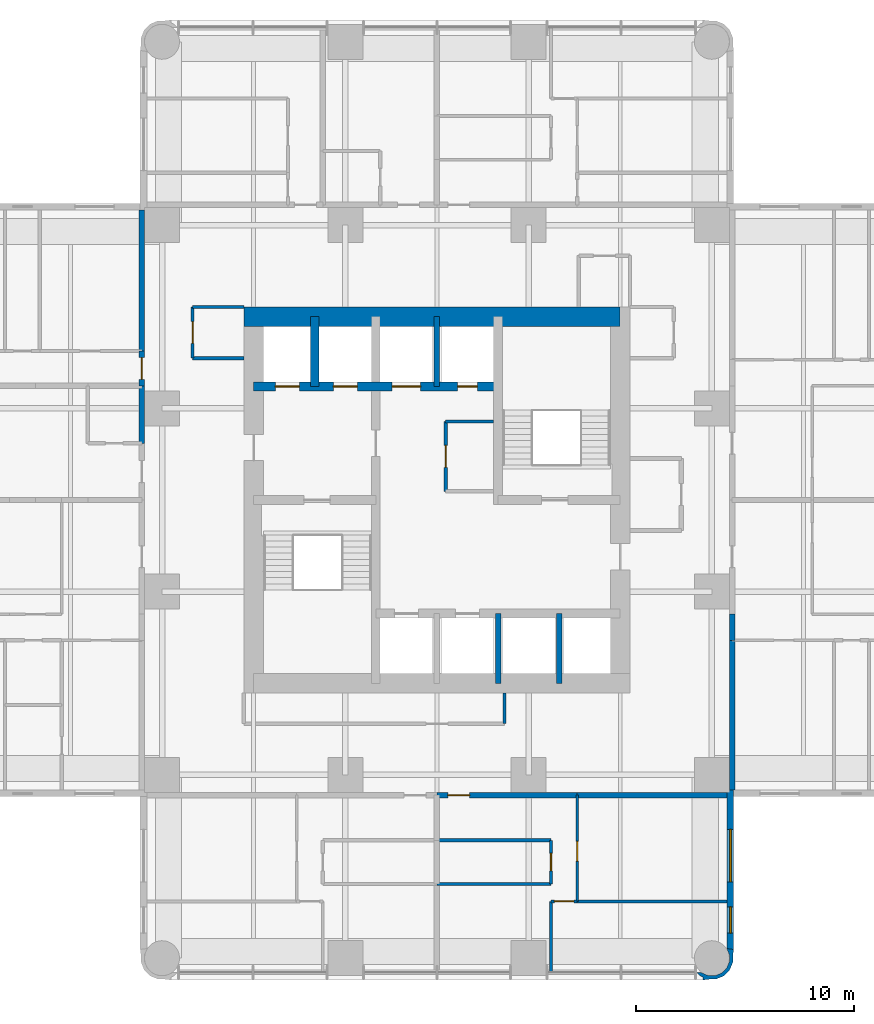
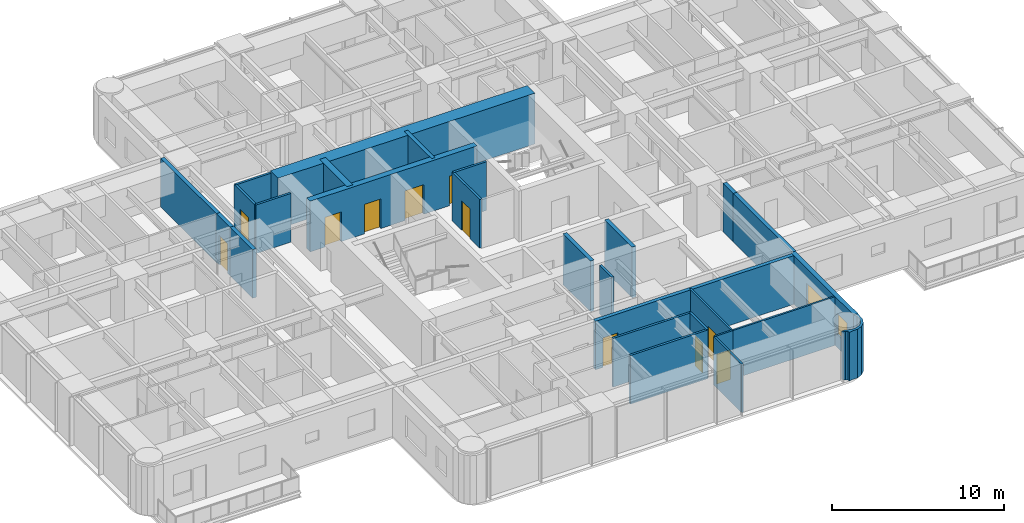
# One storey, part 8 of 14: 28 walls, 11 doors, 2 windows, 13 openings.
"""IFC4 building model written with IfcOpenShell, lengths in metres."""

from ifc_helpers import new_model, si_unit, direction, frame, frame_2d, origin, place, context, subcontext, project, spatial, polyline, rectangle, outline, extrude, material, layer, layer_set, type_object, element, fill, save


model = new_model("IFC4")

# Units and contexts
model_context = context("Model", 3, precision=1e-05, world=origin(), true_north=direction((0.0, 1.0)))
body_context = subcontext(model_context, "Body", "Model", "MODEL_VIEW")
ifc_project = project(units=[si_unit("LENGTHUNIT", "METRE"), si_unit("AREAUNIT", "SQUARE_METRE"), si_unit("VOLUMEUNIT", "CUBIC_METRE"), si_unit("PLANEANGLEUNIT", "RADIAN"), si_unit("MASSUNIT", "GRAM", prefix="KILO")], contexts=[model_context])

# Site, building, storey
site_placement = place(None, origin())
site = spatial("IfcSite", under=ifc_project, at=site_placement, CompositionType="ELEMENT")
building_placement = place(site_placement, origin())
building = spatial("IfcBuilding", under=site, at=building_placement, Name="Torre Alcanfor", CompositionType="ELEMENT")
storey_placement = place(building_placement, frame((0.0, 0.0, 130.5)))
storey = spatial("IfcBuildingStorey", under=building, at=storey_placement, Name="L33", CompositionType="ELEMENT", Elevation=130.5)

# Walls
ifc_material_1 = material(Name="Concrete block masonry, hollow blocks NMX-C-404 9 MPa", Category="masonry")
ifc_layer_1 = layer(ifc_material_1, 0.25)
ifc_layer_set_1 = layer_set([ifc_layer_1], Name="Apartment entrance wall 250 EI 60")
wall_type_1 = type_object("IfcWallType", Name="Apartment entrance wall 250 EI 60", PredefinedType="PARTITIONING", material=ifc_layer_set_1)
wall_1_placement = place(storey_placement, frame((42.925048828125, 24.1708984375, 0.0), z_axis=(0.0, 0.0, 1.0), x_axis=(0.0, -1.0, 0.0)))
element("IfcWall", 1, at=wall_1_placement, inside=storey, type_object=wall_type_1, Name="Partition L33-CORR / L33-E2-HALL", PredefinedType="PARTITIONING", context=body_context, shape_type="SweptSolid", body=[
    extrude(rectangle(XDim=1.199951171875, YDim=0.25, at=frame_2d((0.60009765625, 0.0))), origin(), (0.0, 0.0, 1.0), 3.449951171875),
])
wall_2_placement = place(storey_placement, frame((42.925048828125, 22.970947265625, 0.0), z_axis=(0.0, 0.0, 1.0), x_axis=(0.0, -1.0, 0.0)))
element("IfcWall", 2, at=wall_2_placement, inside=storey, type_object=wall_type_1, Name="Partition L33-CORR / L33-E2-BED3", PredefinedType="PARTITIONING", context=body_context, shape_type="SweptSolid", body=[
    extrude(rectangle(XDim=6.870849609375, YDim=0.25, at=frame_2d((3.435546875, 0.0))), origin(), (0.0, 0.0, 1.0), 3.449951171875),
])

# Wall, opening, door
wall_3_placement = place(storey_placement, frame((35.8291015625, 15.875, 0.0), z_axis=(0.0, 0.0, 1.0), x_axis=(-1.0, 0.0, 0.0)))
wall_3 = element("IfcWall", 3, at=wall_3_placement, inside=storey, type_object=wall_type_1, Name="Partition L33-CORR / L33-S1-LIVING", PredefinedType="PARTITIONING", context=body_context, shape_type="SweptSolid", body=[
    extrude(rectangle(XDim=6.42919921875, YDim=0.25, at=frame_2d((3.214599609375, 0.0))), origin(), (0.0, 0.0, 1.0), 3.449951171875),
])
opening_1_placement = place(wall_3_placement, frame((4.928955078125, 0.0, 0.0)))
opening_1 = element("IfcOpeningElement", 4, at=opening_1_placement, cuts=wall_3, Name="Opening D-A1", PredefinedType="OPENING", context=body_context, shape_type="SweptSolid", body=[
    extrude(rectangle(XDim=1.0, YDim=2.10009765625, at=frame_2d((0.5, 1.050048828125))), frame((0.0, 0.135009765625, 0.0), z_axis=(0.0, -1.0, 0.0), x_axis=(1.0, 0.0, 0.0)), (0.0, 0.0, 1.0), 0.27001953125),
])
ifc_material_2 = material(Name="Galvanised steel sheet ASTM A653", Category="steel")
door_type_1 = type_object("IfcDoorType", Name="Apartment entrance door FD60 1000x2100", OperationType="SINGLE_SWING_LEFT", PredefinedType="DOOR", material=ifc_material_2)
door_1_placement = place(opening_1_placement, origin())
door_1 = element("IfcDoor", 5, at=door_1_placement, inside=storey, type_object=door_type_1, Name="Apartment entrance L33-S1", OperationType="SINGLE_SWING_RIGHT", OverallHeight=2.10009765625, OverallWidth=1.0, PredefinedType="DOOR", context=body_context, shape_type="SweptSolid", body=[
    extrude(rectangle(XDim=1.0, YDim=2.10009765625, at=frame_2d((0.5, 1.050048828125))), frame((0.0, 0.02490234375, 0.0), z_axis=(0.0, -1.0, 0.0), x_axis=(1.0, 0.0, 0.0)), (0.0, 0.0, 1.0), 0.050048828125),
])
fill(opening_1, door_1)

# Walls
wall_4_placement = place(storey_placement, frame((42.699951171875, 15.875, 0.0), z_axis=(0.0, 0.0, 1.0), x_axis=(-1.0, 0.0, 0.0)))
element("IfcWall", 6, at=wall_4_placement, inside=storey, type_object=wall_type_1, Name="Partition L33-CORR / L33-S1-BED2", PredefinedType="PARTITIONING", context=body_context, shape_type="SweptSolid", body=[
    extrude(rectangle(XDim=6.870849609375, YDim=0.25, at=frame_2d((3.435546875, 0.0))), origin(), (0.0, 0.0, 1.0), 3.449951171875),
])
wall_5_placement = place(storey_placement, frame((15.875, 32.0, 0.0), z_axis=(0.0, 0.0, 1.0), x_axis=(0.0, 1.0, 0.0)))
element("IfcWall", 7, at=wall_5_placement, inside=storey, type_object=wall_type_1, Name="Partition L33-CORR / L33-W2A-BATH", PredefinedType="PARTITIONING", context=body_context, shape_type="SweptSolid", body=[
    extrude(rectangle(XDim=2.62890625, YDim=0.25, at=frame_2d((1.314453125, 0.0))), origin(), (0.0, 0.0, 1.0), 3.449951171875),
])

# Wall, opening, door
wall_6_placement = place(storey_placement, frame((15.875, 34.62890625, 0.0), z_axis=(0.0, 0.0, 1.0), x_axis=(0.0, 1.0, 0.0)))
wall_6 = element("IfcWall", 8, at=wall_6_placement, inside=storey, type_object=wall_type_1, Name="Partition L33-CORR / L33-W2B-HALL", PredefinedType="PARTITIONING", context=body_context, shape_type="SweptSolid", body=[
    extrude(rectangle(XDim=1.60009765625, YDim=0.25, at=frame_2d((0.800048828125, 0.0))), origin(), (0.0, 0.0, 1.0), 3.449951171875),
])
opening_2_placement = place(wall_6_placement, frame((0.300048828125, 0.0, 0.0)))
opening_2 = element("IfcOpeningElement", 9, at=opening_2_placement, cuts=wall_6, Name="Opening D-A1", PredefinedType="OPENING", context=body_context, shape_type="SweptSolid", body=[
    extrude(rectangle(XDim=1.0, YDim=2.10009765625, at=frame_2d((0.5, 1.050048828125))), frame((0.0, 0.135009765625, 0.0), z_axis=(0.0, -1.0, 0.0), x_axis=(1.0, 0.0, 0.0)), (0.0, 0.0, 1.0), 0.27001953125),
])
door_2_placement = place(opening_2_placement, origin())
door_2 = element("IfcDoor", 10, at=door_2_placement, inside=storey, type_object=door_type_1, Name="Apartment entrance L33-W2B", OperationType="SINGLE_SWING_LEFT", OverallHeight=2.10009765625, OverallWidth=1.0, PredefinedType="DOOR", context=body_context, shape_type="SweptSolid", body=[
    extrude(rectangle(XDim=1.0, YDim=2.10009765625, at=frame_2d((0.5, 1.050048828125))), frame((0.0, 0.02490234375, 0.0), z_axis=(0.0, -1.0, 0.0), x_axis=(1.0, 0.0, 0.0)), (0.0, 0.0, 1.0), 0.050048828125),
])
fill(opening_2, door_2)

# Wall
wall_7_placement = place(storey_placement, frame((15.875, 36.22900390625, 0.0), z_axis=(0.0, 0.0, 1.0), x_axis=(0.0, 1.0, 0.0)))
element("IfcWall", 11, at=wall_7_placement, inside=storey, type_object=wall_type_1, Name="Partition L33-CORR / L33-W2B-MASTER", PredefinedType="PARTITIONING", context=body_context, shape_type="SweptSolid", body=[
    extrude(rectangle(XDim=6.470947265625, YDim=0.25, at=frame_2d((3.2353515625, 0.0))), origin(), (0.0, 0.0, 1.0), 3.449951171875),
])

# Wall, opening, door
ifc_material_3 = material(Name="Gypsum board on steel studs", Category="steel")
ifc_layer_2 = layer(ifc_material_3, 0.1201171875)
ifc_layer_set_2 = layer_set([ifc_layer_2], Name="Apartment partition 120")
wall_type_2 = type_object("IfcWallType", Name="Apartment partition 120", PredefinedType="PARTITIONING", material=ifc_layer_set_2)
wall_8_placement = place(storey_placement, frame((35.8291015625, 15.875, 0.0), z_axis=(0.0, 0.0, 1.0), x_axis=(0.0, -1.0, 0.0)))
wall_8 = element("IfcWall", 12, at=wall_8_placement, inside=storey, type_object=wall_type_2, Name="Partition L33-S1-LIVING / L33-S1-BED2", PredefinedType="PARTITIONING", context=body_context, shape_type="SweptSolid", body=[
    extrude(rectangle(XDim=4.875, YDim=0.1201171875, at=frame_2d((2.4375, 0.0))), origin(), (0.0, 0.0, 1.0), 3.449951171875),
])
opening_3_placement = place(wall_8_placement, frame((2.125, 0.0, 0.0)))
opening_3 = element("IfcOpeningElement", 13, at=opening_3_placement, cuts=wall_8, Name="Opening D-R1", PredefinedType="OPENING", context=body_context, shape_type="SweptSolid", body=[
    extrude(rectangle(XDim=0.89990234375, YDim=2.10009765625, at=frame_2d((0.449951171875, 1.050048828125))), frame((0.0, 0.070068359375, 0.0), z_axis=(0.0, -1.0, 0.0), x_axis=(1.0, 0.0, 0.0)), (0.0, 0.0, 1.0), 0.14013671875),
])
ifc_material_4 = material(Name="Timber", Category="wood")
door_type_2 = type_object("IfcDoorType", Name="Internal door 900x2100", OperationType="SINGLE_SWING_LEFT", PredefinedType="DOOR", material=ifc_material_4)
door_3_placement = place(opening_3_placement, origin())
door_3 = element("IfcDoor", 14, at=door_3_placement, inside=storey, type_object=door_type_2, Name="Door L33-S1 bed2", OperationType="SINGLE_SWING_RIGHT", OverallHeight=2.10009765625, OverallWidth=0.89990234375, PredefinedType="DOOR", context=body_context, shape_type="SweptSolid", body=[
    extrude(rectangle(XDim=0.89990234375, YDim=2.10009765625, at=frame_2d((0.449951171875, 1.050048828125))), frame((0.0, 0.02490234375, 0.0), z_axis=(0.0, -1.0, 0.0), x_axis=(1.0, 0.0, 0.0)), (0.0, 0.0, 1.0), 0.050048828125),
])
fill(opening_3, door_3)

wall_9_placement = place(storey_placement, frame((35.8291015625, 11.0, 0.0), z_axis=(0.0, 0.0, 1.0), x_axis=(-1.0, 0.0, 0.0)))
wall_9 = element("IfcWall", 15, at=wall_9_placement, inside=storey, type_object=wall_type_2, Name="Partition L33-S1-LIVING / L33-S1-MASTER", PredefinedType="PARTITIONING", context=body_context, shape_type="SweptSolid", body=[
    extrude(rectangle(XDim=1.2001953125, YDim=0.1201171875, at=frame_2d((0.60009765625, 0.0))), origin(), (0.0, 0.0, 1.0), 3.449951171875),
])
opening_4_placement = place(wall_9_placement, frame((0.14892578125, 0.0, 0.0)))
opening_4 = element("IfcOpeningElement", 16, at=opening_4_placement, cuts=wall_9, Name="Opening D-R1", PredefinedType="OPENING", context=body_context, shape_type="SweptSolid", body=[
    extrude(rectangle(XDim=0.89990234375, YDim=2.10009765625, at=frame_2d((0.449951171875, 1.050048828125))), frame((0.0, 0.070068359375, 0.0), z_axis=(0.0, -1.0, 0.0), x_axis=(1.0, 0.0, 0.0)), (0.0, 0.0, 1.0), 0.14013671875),
])
door_4_placement = place(opening_4_placement, origin())
door_4 = element("IfcDoor", 17, at=door_4_placement, inside=storey, type_object=door_type_2, Name="Door L33-S1 master", OperationType="SINGLE_SWING_RIGHT", OverallHeight=2.10009765625, OverallWidth=0.89990234375, PredefinedType="DOOR", context=body_context, shape_type="SweptSolid", body=[
    extrude(rectangle(XDim=0.89990234375, YDim=2.10009765625, at=frame_2d((0.449951171875, 1.050048828125))), frame((0.0, 0.02490234375, 0.0), z_axis=(0.0, -1.0, 0.0), x_axis=(1.0, 0.0, 0.0)), (0.0, 0.0, 1.0), 0.050048828125),
])
fill(opening_4, door_4)

# Walls
wall_10_placement = place(storey_placement, frame((34.62890625, 11.0, 0.0), z_axis=(0.0, 0.0, 1.0), x_axis=(0.0, -1.0, 0.0)))
element("IfcWall", 18, at=wall_10_placement, inside=storey, type_object=wall_type_2, Name="Partition L33-S1-LIVING / L33-S1-MASTER", PredefinedType="PARTITIONING", context=body_context, shape_type="SweptSolid", body=[
    extrude(rectangle(XDim=3.25, YDim=0.1201171875, at=frame_2d((1.625, 0.0))), origin(), (0.0, 0.0, 1.0), 3.449951171875),
])
wall_11_placement = place(storey_placement, frame((35.8291015625, 11.0, 0.0), z_axis=(0.0, 0.0, 1.0), x_axis=(1.0, 0.0, 0.0)))
element("IfcWall", 19, at=wall_11_placement, inside=storey, type_object=wall_type_2, Name="Partition L33-S1-BED2 / L33-S1-MASTER", PredefinedType="PARTITIONING", context=body_context, shape_type="SweptSolid", body=[
    extrude(rectangle(XDim=6.870849609375, YDim=0.1201171875, at=frame_2d((3.435546875, 0.0))), origin(), (0.0, 0.0, 1.0), 3.449951171875),
])

# Wall, openings, doors
ifc_material_5 = material(Name="Concrete f'c 70 MPa", Category="concrete")
ifc_layer_3 = layer(ifc_material_5, 0.39990234375)
ifc_layer_set_3 = layer_set([ifc_layer_3], Name="Core inner wall 400 f'c70")
wall_type_3 = type_object("IfcWallType", Name="Core inner wall 400 f'c70", PredefinedType="SHEAR", material=ifc_layer_set_3)
wall_12_placement = place(storey_placement, frame((21.0, 34.60009765625, 0.0), z_axis=(0.0, 0.0, 1.0), x_axis=(1.0, 0.0, 0.0)))
wall_12 = element("IfcWall", 20, at=wall_12_placement, inside=storey, type_object=wall_type_3, Name="Core wall Y346 L33", PredefinedType="SHEAR", context=body_context, shape_type="SweptSolid", body=[
    extrude(rectangle(XDim=11.199951171875, YDim=0.39990234375, at=frame_2d((5.60009765625, 0.0))), origin(), (0.0, 0.0, 1.0), 3.60009765625),
])
opening_5_placement = place(wall_12_placement, frame((9.35009765625, 0.0, 0.0)))
opening_5 = element("IfcOpeningElement", 21, at=opening_5_placement, cuts=wall_12, Name="Opening D-Q1", PredefinedType="OPENING", context=body_context, shape_type="SweptSolid", body=[
    extrude(rectangle(XDim=0.89990234375, YDim=2.10009765625, at=frame_2d((0.449951171875, 1.050048828125))), frame((0.0, 0.2099609375, 0.0), z_axis=(0.0, -1.0, 0.0), x_axis=(1.0, 0.0, 0.0)), (0.0, 0.0, 1.0), 0.419921875),
])
opening_6_placement = place(wall_12_placement, frame((1.0, 0.0, 0.0)))
opening_6 = element("IfcOpeningElement", 22, at=opening_6_placement, cuts=wall_12, Name="Opening LD2", PredefinedType="OPENING", context=body_context, shape_type="SweptSolid", body=[
    extrude(rectangle(XDim=1.10009765625, YDim=2.10009765625, at=frame_2d((0.550048828125, 1.050048828125))), frame((0.0, 0.2099609375, 0.0), z_axis=(0.0, -1.0, 0.0), x_axis=(1.0, 0.0, 0.0)), (0.0, 0.0, 1.0), 0.419921875),
])
opening_7_placement = place(wall_12_placement, frame((3.64990234375, 0.0, 0.0)))
opening_7 = element("IfcOpeningElement", 23, at=opening_7_placement, cuts=wall_12, Name="Opening LD2", PredefinedType="OPENING", context=body_context, shape_type="SweptSolid", body=[
    extrude(rectangle(XDim=1.10009765625, YDim=2.10009765625, at=frame_2d((0.550048828125, 1.050048828125))), frame((0.0, 0.2099609375, 0.0), z_axis=(0.0, -1.0, 0.0), x_axis=(1.0, 0.0, 0.0)), (0.0, 0.0, 1.0), 0.419921875),
])
opening_8_placement = place(wall_12_placement, frame((6.35009765625, 0.0, 0.0)))
opening_8 = element("IfcOpeningElement", 24, at=opening_8_placement, cuts=wall_12, Name="Opening LD3", PredefinedType="OPENING", context=body_context, shape_type="SweptSolid", body=[
    extrude(rectangle(XDim=1.300048828125, YDim=2.10009765625, at=frame_2d((0.64990234375, 1.050048828125))), frame((0.0, 0.2099609375, 0.0), z_axis=(0.0, -1.0, 0.0), x_axis=(1.0, 0.0, 0.0)), (0.0, 0.0, 1.0), 0.419921875),
])
ifc_material_6 = material(Name="Galvanised steel sheet ASTM A653", Category="steel")
door_type_3 = type_object("IfcDoorType", Name="Firefighting lift landing door 1100x2100", OperationType="DOUBLE_DOOR_SLIDING", PredefinedType="DOOR", material=ifc_material_6)
door_5_placement = place(opening_6_placement, origin())
door_5 = element("IfcDoor", 25, at=door_5_placement, inside=storey, type_object=door_type_3, Name="Lift landing door FL1 L33", OperationType="DOUBLE_DOOR_SLIDING", OverallHeight=2.10009765625, OverallWidth=1.10009765625, PredefinedType="DOOR", context=body_context, shape_type="SweptSolid", body=[
    extrude(rectangle(XDim=1.10009765625, YDim=2.10009765625, at=frame_2d((0.550048828125, 1.050048828125))), frame((0.0, 0.02490234375, 0.0), z_axis=(0.0, -1.0, 0.0), x_axis=(1.0, 0.0, 0.0)), (0.0, 0.0, 1.0), 0.050048828125),
])
fill(opening_6, door_5)
door_6_placement = place(opening_7_placement, origin())
door_6 = element("IfcDoor", 26, at=door_6_placement, inside=storey, type_object=door_type_3, Name="Lift landing door FL2 L33", OperationType="DOUBLE_DOOR_SLIDING", OverallHeight=2.10009765625, OverallWidth=1.10009765625, PredefinedType="DOOR", context=body_context, shape_type="SweptSolid", body=[
    extrude(rectangle(XDim=1.10009765625, YDim=2.10009765625, at=frame_2d((0.550048828125, 1.050048828125))), frame((0.0, 0.02490234375, 0.0), z_axis=(0.0, -1.0, 0.0), x_axis=(1.0, 0.0, 0.0)), (0.0, 0.0, 1.0), 0.050048828125),
])
fill(opening_7, door_6)
ifc_material_7 = material(Name="Galvanised steel sheet ASTM A653", Category="steel")
door_type_4 = type_object("IfcDoorType", Name="Riser access door FD120 900x2100", OperationType="SINGLE_SWING_LEFT", PredefinedType="DOOR", material=ifc_material_7)
door_7_placement = place(opening_5_placement, origin())
door_7 = element("IfcDoor", 27, at=door_7_placement, inside=storey, type_object=door_type_4, Name="Riser door L33", OperationType="SINGLE_SWING_LEFT", OverallHeight=2.10009765625, OverallWidth=0.89990234375, PredefinedType="DOOR", context=body_context, shape_type="SweptSolid", body=[
    extrude(rectangle(XDim=0.89990234375, YDim=2.10009765625, at=frame_2d((0.449951171875, 1.050048828125))), frame((0.0, 0.02490234375, 0.0), z_axis=(0.0, -1.0, 0.0), x_axis=(1.0, 0.0, 0.0)), (0.0, 0.0, 1.0), 0.050048828125),
])
fill(opening_5, door_7)
ifc_material_8 = material(Name="Galvanised steel sheet ASTM A653", Category="steel")
door_type_5 = type_object("IfcDoorType", Name="Service lift landing door 1300x2100", OperationType="DOUBLE_DOOR_SLIDING", PredefinedType="DOOR", material=ifc_material_8)
door_8_placement = place(opening_8_placement, origin())
door_8 = element("IfcDoor", 28, at=door_8_placement, inside=storey, type_object=door_type_5, Name="Lift landing door SL1 L33", OperationType="DOUBLE_DOOR_SLIDING", OverallHeight=2.10009765625, OverallWidth=1.300048828125, PredefinedType="DOOR", context=body_context, shape_type="SweptSolid", body=[
    extrude(rectangle(XDim=1.300048828125, YDim=2.10009765625, at=frame_2d((0.64990234375, 1.050048828125))), frame((0.0, 0.02490234375, 0.0), z_axis=(0.0, -1.0, 0.0), x_axis=(1.0, 0.0, 0.0)), (0.0, 0.0, 1.0), 0.050048828125),
])
fill(opening_8, door_8)

# Walls
wall_13_placement = place(storey_placement, frame((23.800048828125, 34.60009765625, 0.0), z_axis=(0.0, 0.0, 1.0), x_axis=(0.0, 1.0, 0.0)))
element("IfcWall", 29, at=wall_13_placement, inside=storey, type_object=wall_type_3, Name="Core wall X238 L33", PredefinedType="SHEAR", context=body_context, shape_type="SweptSolid", body=[
    extrude(rectangle(XDim=3.199951171875, YDim=0.39990234375, at=frame_2d((1.60009765625, 0.0))), origin(), (0.0, 0.0, 1.0), 3.60009765625),
])
ifc_material_9 = material(Name="Concrete f'c 70 MPa", Category="concrete")
ifc_layer_4 = layer(ifc_material_9, 0.25)
ifc_layer_set_4 = layer_set([ifc_layer_4], Name="Core shaft wall 250 f'c70")
wall_type_4 = type_object("IfcWallType", Name="Core shaft wall 250 f'c70", PredefinedType="SHEAR", material=ifc_layer_set_4)
for number, where, z_axis, x_axis, name in (
    (30, (32.199951171875, 21.0, 0.0), (0.0, 0.0, 1.0), (0.0, 1.0, 0.0), "Core wall X322S L33"),
    (31, (35.0, 21.0, 0.0), (0.0, 0.0, 1.0), (0.0, 1.0, 0.0), "Core wall X350S L33"),
    (32, (29.39990234375, 34.60009765625, 0.0), (0.0, 0.0, 1.0), (0.0, 1.0, 0.0), "Core wall X294N L33"),
):
    element("IfcWall", number, at=place(storey_placement, frame(where, z_axis=z_axis, x_axis=x_axis)), inside=storey, type_object=wall_type_4, Name=name, PredefinedType="SHEAR", context=body_context, shape_type="SweptSolid", body=[
        extrude(rectangle(XDim=3.199951171875, YDim=0.25, at=frame_2d((1.60009765625, 0.0))), origin(), (0.0, 0.0, 1.0), 3.60009765625),
    ])
ifc_material_10 = material(Name="Concrete f'c 70 MPa", Category="concrete")
ifc_layer_5 = layer(ifc_material_10, 0.89990234375)
ifc_layer_set_5 = layer_set([ifc_layer_5], Name="Core wall 900 f'c70")
wall_type_5 = type_object("IfcWallType", Name="Core wall 900 f'c70", PredefinedType="SHEAR", material=ifc_layer_set_5)
wall_14_placement = place(storey_placement, frame((37.800048828125, 37.800048828125, 0.0), z_axis=(0.0, 0.0, 1.0), x_axis=(-1.0, 0.0, 0.0)))
element("IfcWall", 33, at=wall_14_placement, inside=storey, type_object=wall_type_5, Name="Core wall OUT-N L33", PredefinedType="SHEAR", context=body_context, shape_type="SweptSolid", body=[
    extrude(rectangle(XDim=17.25, YDim=0.89990234375, at=frame_2d((8.625, 0.0))), origin(), (0.0, 0.0, 1.0), 3.60009765625),
])

# Wall, openings, windows
ifc_material_11 = material(Name="Limestone cladding", Category="masonry")
ifc_layer_6 = layer(ifc_material_11, 0.0400390625, Name="Facing")
ifc_material_12 = material(Name="Ventilated air cavity")
ifc_layer_7 = layer(ifc_material_12, 0.02001953125, ventilated=True, Name="Ventilated joint")
ifc_material_13 = material(Name="Mineral wool insulation", Category="insulation")
ifc_layer_8 = layer(ifc_material_13, 0.10009765625, Name="Insulation")
ifc_material_14 = material(Name="Concrete f'c 35 MPa", Category="concrete")
ifc_layer_9 = layer(ifc_material_14, 0.139892578125, Name="Backing")
ifc_layer_set_6 = layer_set([ifc_layer_6, ifc_layer_7, ifc_layer_8, ifc_layer_9], Name="External wall stone-clad 300")
wall_type_6 = type_object("IfcWallType", Name="External wall stone-clad 300", PredefinedType="SOLIDWALL", material=ifc_layer_set_6)
wall_15_placement = place(storey_placement, frame((42.85009765625, 8.800048828125, 0.0), z_axis=(0.0, 0.0, 1.0), x_axis=(0.0, 1.0, 0.0)))
wall_15 = element("IfcWall", 34, at=wall_15_placement, inside=storey, type_object=wall_type_6, Name="External wall L33 6", PredefinedType="SOLIDWALL", context=body_context, shape_type="SweptSolid", body=[
    extrude(rectangle(XDim=7.300048828125, YDim=0.300048828125, at=frame_2d((3.64990234375, 0.0))), origin(), (0.0, 0.0, 1.0), 3.449951171875),
])
opening_9_placement = place(wall_15_placement, frame((3.10009765625, 0.0, 0.89990234375)))
opening_9 = element("IfcOpeningElement", 35, at=opening_9_placement, cuts=wall_15, Name="Opening W1", PredefinedType="OPENING", context=body_context, shape_type="SweptSolid", body=[
    extrude(rectangle(XDim=2.39990234375, YDim=1.5, at=frame_2d((1.199951171875, 0.75))), frame((0.0, 0.159912109375, 0.0), z_axis=(0.0, -1.0, 0.0), x_axis=(1.0, 0.0, 0.0)), (0.0, 0.0, 1.0), 0.320068359375),
])
opening_10_placement = place(wall_15_placement, frame((0.75, 0.0, 0.89990234375)))
opening_10 = element("IfcOpeningElement", 36, at=opening_10_placement, cuts=wall_15, Name="Opening W4", PredefinedType="OPENING", context=body_context, shape_type="SweptSolid", body=[
    extrude(rectangle(XDim=1.199951171875, YDim=1.5, at=frame_2d((0.60009765625, 0.75))), frame((0.0, 0.159912109375, 0.0), z_axis=(0.0, -1.0, 0.0), x_axis=(1.0, 0.0, 0.0)), (0.0, 0.0, 1.0), 0.320068359375),
])
ifc_material_15 = material(Name="Aluminium frame with clear double glazing", Category="aluminium")
window_type_1 = type_object("IfcWindowType", Name="Window bedroom 1200x1500", PartitioningType="SINGLE_PANEL", PredefinedType="WINDOW", material=ifc_material_15)
window_1_placement = place(opening_10_placement, origin())
window_1 = element("IfcWindow", 37, at=window_1_placement, inside=storey, type_object=window_type_1, Name="Window W4 L33-S1", OverallHeight=1.5, OverallWidth=1.199951171875, PartitioningType="SINGLE_PANEL", PredefinedType="WINDOW", context=body_context, shape_type="SweptSolid", body=[
    extrude(rectangle(XDim=1.199951171875, YDim=1.5, at=frame_2d((0.60009765625, 0.75))), frame((0.0, 0.030029296875, 0.0), z_axis=(0.0, -1.0, 0.0), x_axis=(1.0, 0.0, 0.0)), (0.0, 0.0, 1.0), 0.06005859375),
])
fill(opening_10, window_1)
ifc_material_16 = material(Name="Aluminium frame with clear double glazing", Category="aluminium")
window_type_2 = type_object("IfcWindowType", Name="Window bedroom 2400x1500", PartitioningType="SINGLE_PANEL", PredefinedType="WINDOW", material=ifc_material_16)
window_2_placement = place(opening_9_placement, origin())
window_2 = element("IfcWindow", 38, at=window_2_placement, inside=storey, type_object=window_type_2, Name="Window W1 L33-S1", OverallHeight=1.5, OverallWidth=2.39990234375, PartitioningType="SINGLE_PANEL", PredefinedType="WINDOW", context=body_context, shape_type="SweptSolid", body=[
    extrude(rectangle(XDim=2.39990234375, YDim=1.5, at=frame_2d((1.199951171875, 0.75))), frame((0.0, 0.030029296875, 0.0), z_axis=(0.0, -1.0, 0.0), x_axis=(1.0, 0.0, 0.0)), (0.0, 0.0, 1.0), 0.06005859375),
])
fill(opening_9, window_2)

# Walls
ifc_material_17 = material(Name="Concrete block masonry, hollow blocks NMX-C-404 9 MPa", Category="masonry")
ifc_layer_10 = layer(ifc_material_17, 0.14990234375)
ifc_layer_set_7 = layer_set([ifc_layer_10], Name="Residents' room partition 150")
wall_type_7 = type_object("IfcWallType", Name="Residents' room partition 150", PredefinedType="PARTITIONING", material=ifc_layer_set_7)
wall_16_placement = place(storey_placement, frame((32.5, 19.14990234375, 0.0), z_axis=(0.0, 0.0, 1.0), x_axis=(0.0, 1.0, 0.0)))
element("IfcWall", 39, at=wall_16_placement, inside=storey, type_object=wall_type_7, Name="Partition L33-CORR / L33-G04", PredefinedType="PARTITIONING", context=body_context, shape_type="SweptSolid", body=[
    extrude(rectangle(XDim=1.400146484375, YDim=0.14990234375, at=frame_2d((0.7001953125, 0.0))), origin(), (0.0, 0.0, 1.0), 3.449951171875),
])
wall_17_placement = place(storey_placement, frame((20.550048828125, 38.25, 0.0), z_axis=(0.0, 0.0, 1.0), x_axis=(-1.0, 0.0, 0.0)))
element("IfcWall", 40, at=wall_17_placement, inside=storey, type_object=wall_type_7, Name="Partition L33-CORR / L33-G05", PredefinedType="PARTITIONING", context=body_context, shape_type="SweptSolid", body=[
    extrude(rectangle(XDim=2.35009765625, YDim=0.14990234375, at=frame_2d((1.175048828125, 0.0))), origin(), (0.0, 0.0, 1.0), 3.449951171875),
])

# Wall, opening, door
wall_18_placement = place(storey_placement, frame((18.199951171875, 38.25, 0.0), z_axis=(0.0, 0.0, 1.0), x_axis=(0.0, -1.0, 0.0)))
wall_18 = element("IfcWall", 41, at=wall_18_placement, inside=storey, type_object=wall_type_7, Name="Partition L33-CORR / L33-G05", PredefinedType="PARTITIONING", context=body_context, shape_type="SweptSolid", body=[
    extrude(rectangle(XDim=2.35009765625, YDim=0.14990234375, at=frame_2d((1.175048828125, 0.0))), origin(), (0.0, 0.0, 1.0), 3.449951171875),
])
opening_11_placement = place(wall_18_placement, frame((0.675048828125, 0.0, 0.0)))
opening_11 = element("IfcOpeningElement", 42, at=opening_11_placement, cuts=wall_18, Name="Opening D-M1", PredefinedType="OPENING", context=body_context, shape_type="SweptSolid", body=[
    extrude(rectangle(XDim=1.0, YDim=2.10009765625, at=frame_2d((0.5, 1.050048828125))), frame((0.0, 0.0849609375, 0.0), z_axis=(0.0, -1.0, 0.0), x_axis=(1.0, 0.0, 0.0)), (0.0, 0.0, 1.0), 0.169921875),
])
ifc_material_18 = material(Name="Timber", Category="wood")
door_type_6 = type_object("IfcDoorType", Name="Residents' room door 1000x2100", OperationType="SINGLE_SWING_LEFT", PredefinedType="DOOR", material=ifc_material_18)
door_9_placement = place(opening_11_placement, origin())
door_9 = element("IfcDoor", 43, at=door_9_placement, inside=storey, type_object=door_type_6, Name="Door L33-G05 pram and buggy store", OperationType="SINGLE_SWING_LEFT", OverallHeight=2.10009765625, OverallWidth=1.0, PredefinedType="DOOR", context=body_context, shape_type="SweptSolid", body=[
    extrude(rectangle(XDim=1.0, YDim=2.10009765625, at=frame_2d((0.5, 1.050048828125))), frame((0.0, 0.02490234375, 0.0), z_axis=(0.0, -1.0, 0.0), x_axis=(1.0, 0.0, 0.0)), (0.0, 0.0, 1.0), 0.050048828125),
])
fill(opening_11, door_9)

# Wall
wall_19_placement = place(storey_placement, frame((18.199951171875, 35.89990234375, 0.0), z_axis=(0.0, 0.0, 1.0), x_axis=(1.0, 0.0, 0.0)))
element("IfcWall", 44, at=wall_19_placement, inside=storey, type_object=wall_type_7, Name="Partition L33-CORR / L33-G05", PredefinedType="PARTITIONING", context=body_context, shape_type="SweptSolid", body=[
    extrude(rectangle(XDim=2.35009765625, YDim=0.14990234375, at=frame_2d((1.175048828125, 0.0))), origin(), (0.0, 0.0, 1.0), 3.449951171875),
])

# Wall, opening, door
wall_20_placement = place(storey_placement, frame((29.800048828125, 29.800048828125, 0.0), z_axis=(0.0, 0.0, 1.0), x_axis=(0.0, 1.0, 0.0)))
wall_20 = element("IfcWall", 45, at=wall_20_placement, inside=storey, type_object=wall_type_7, Name="Partition L33-LL / L33-CR1", PredefinedType="PARTITIONING", context=body_context, shape_type="SweptSolid", body=[
    extrude(rectangle(XDim=3.199951171875, YDim=0.14990234375, at=frame_2d((1.60009765625, 0.0))), origin(), (0.0, 0.0, 1.0), 3.449951171875),
])
opening_12_placement = place(wall_20_placement, frame((1.10009765625, 0.0, 0.0)))
opening_12 = element("IfcOpeningElement", 46, at=opening_12_placement, cuts=wall_20, Name="Opening D-M1", PredefinedType="OPENING", context=body_context, shape_type="SweptSolid", body=[
    extrude(rectangle(XDim=1.0, YDim=2.10009765625, at=frame_2d((0.5, 1.050048828125))), frame((0.0, 0.0849609375, 0.0), z_axis=(0.0, -1.0, 0.0), x_axis=(1.0, 0.0, 0.0)), (0.0, 0.0, 1.0), 0.169921875),
])
door_10_placement = place(opening_12_placement, frame((1.0, 0.0, 0.0), z_axis=(0.0, 0.0, 1.0), x_axis=(-1.0, 0.0, 0.0)))
door_10 = element("IfcDoor", 47, at=door_10_placement, inside=storey, type_object=door_type_6, Name="Residents' parcel room door L33", OperationType="SINGLE_SWING_RIGHT", OverallHeight=2.10009765625, OverallWidth=1.0, PredefinedType="DOOR", context=body_context, shape_type="SweptSolid", body=[
    extrude(rectangle(XDim=1.0, YDim=2.10009765625, at=frame_2d((0.5, 1.050048828125))), frame((0.0, 0.025146484375, 0.0), z_axis=(0.0, -1.0, 0.0), x_axis=(1.0, 0.0, 0.0)), (0.0, 0.0, 1.0), 0.050048828125),
])
fill(opening_12, door_10)

# Walls
wall_21_placement = place(storey_placement, frame((29.800048828125, 33.0, 0.0), z_axis=(0.0, 0.0, 1.0), x_axis=(1.0, 0.0, 0.0)))
element("IfcWall", 48, at=wall_21_placement, inside=storey, type_object=wall_type_7, Name="Partition L33-LL / L33-CR1", PredefinedType="PARTITIONING", context=body_context, shape_type="SweptSolid", body=[
    extrude(rectangle(XDim=2.199951171875, YDim=0.14990234375, at=frame_2d((1.10009765625, 0.0))), origin(), (0.0, 0.0, 1.0), 3.449951171875),
])
ifc_layer_11 = layer(ifc_material_11, 0.0400390625, Name="Facing")
ifc_layer_12 = layer(ifc_material_12, 0.02001953125, ventilated=True, Name="Ventilated joint")
ifc_layer_13 = layer(ifc_material_13, 0.10009765625, Name="Insulation")
ifc_layer_14 = layer(ifc_material_14, 0.139892578125, Name="Backing")
ifc_layer_set_8 = layer_set([ifc_layer_11, ifc_layer_12, ifc_layer_13, ifc_layer_14], Name="Rounded corner pier stone-clad 300")
wall_type_8 = type_object("IfcWallType", Name="Rounded corner pier stone-clad 300", PredefinedType="SOLIDWALL", material=ifc_layer_set_8)
wall_22_placement = place(storey_placement, frame((41.351928198, 7.804682488, 0.0), z_axis=(0.0, 0.0, 1.0), x_axis=(0.343276641956, -0.93923434088, 0.0)))
element("IfcWall", 49, at=wall_22_placement, inside=storey, type_object=wall_type_8, Name="Corner pier L33 16", PredefinedType="SOLIDWALL", context=body_context, shape_type="SweptSolid", body=[
    extrude(outline(polyline([(-0.3691376945080963, 1.8896116474277462), (-0.5092849006082865, 1.6213723434863179), (-0.4904818693699753, 1.614500106025285), (-0.47937395557818696, 1.6086207727425919), (-0.21134604487110653, 1.620093396259431), (0.08789731812884549, 1.5107242513003132), (0.3226193813038204, 1.29522875171589), (0.4568297522668325, 1.0059961170728082), (0.47018090116819644, 0.6876338955306306), (0.3608955639829935, 0.3886198377896824), (0.14540006439857034, 0.15389777461470747), (0.10805580570731482, 0.136354268630141), (0.030952653705484567, -0.07460656965335008), (0.24105149879401783, 0.023022242841209073), (0.33345144333490195, 0.12363819812835387), (0.46537419024986754, 0.09413770889727405), (0.5320249985235461, 0.39313792602006), (0.6305829406476248, 0.6628009106085226), (0.6143313238115743, 1.0443478664441104), (0.4534111053034037, 1.390650880852334), (0.17226586261802523, 1.6491069643028293), (-0.09739712197043726, 1.7476649064269079), (-0.3691376945080963, 1.8896116474277462)])), origin(), (0.0, 0.0, 1.0), 3.449951171875),
])
ifc_material_19 = material(Name="Cement board on steel studs", Category="steel")
ifc_layer_15 = layer(ifc_material_19, 0.14990234375)
ifc_layer_set_9 = layer_set([ifc_layer_15], Name="Wet area partition 150")
wall_type_9 = type_object("IfcWallType", Name="Wet area partition 150", PredefinedType="PARTITIONING", material=ifc_layer_set_9)
wall_23_placement = place(storey_placement, frame((29.39990234375, 11.800048828125, 0.0), z_axis=(0.0, 0.0, 1.0), x_axis=(1.0, 0.0, 0.0)))
element("IfcWall", 50, at=wall_23_placement, inside=storey, type_object=wall_type_9, Name="Partition L33-S1-BATH / L33-S1-LIVING", PredefinedType="PARTITIONING", context=body_context, shape_type="SweptSolid", body=[
    extrude(rectangle(XDim=5.22900390625, YDim=0.14990234375, at=frame_2d((2.614501953125, 0.0))), origin(), (0.0, 0.0, 1.0), 3.449951171875),
])

# Wall, opening, door
wall_24_placement = place(storey_placement, frame((34.62890625, 11.800048828125, 0.0), z_axis=(0.0, 0.0, 1.0), x_axis=(0.0, 1.0, 0.0)))
wall_24 = element("IfcWall", 51, at=wall_24_placement, inside=storey, type_object=wall_type_9, Name="Partition L33-S1-BATH / L33-S1-LIVING", PredefinedType="PARTITIONING", context=body_context, shape_type="SweptSolid", body=[
    extrude(rectangle(XDim=2.0, YDim=0.14990234375, at=frame_2d((1.0, 0.0))), origin(), (0.0, 0.0, 1.0), 3.449951171875),
])
opening_13_placement = place(wall_24_placement, frame((0.60009765625, 0.0, 0.0)))
opening_13 = element("IfcOpeningElement", 52, at=opening_13_placement, cuts=wall_24, Name="Opening D-R2", PredefinedType="OPENING", context=body_context, shape_type="SweptSolid", body=[
    extrude(rectangle(XDim=0.800048828125, YDim=2.10009765625, at=frame_2d((0.39990234375, 1.050048828125))), frame((0.0, 0.0849609375, 0.0), z_axis=(0.0, -1.0, 0.0), x_axis=(1.0, 0.0, 0.0)), (0.0, 0.0, 1.0), 0.169921875),
])
ifc_material_20 = material(Name="Timber", Category="wood")
door_type_7 = type_object("IfcDoorType", Name="Bathroom door 800x2100", OperationType="SINGLE_SWING_LEFT", PredefinedType="DOOR", material=ifc_material_20)
door_11_placement = place(opening_13_placement, origin())
door_11 = element("IfcDoor", 53, at=door_11_placement, inside=storey, type_object=door_type_7, Name="Door L33-S1 bath", OperationType="SINGLE_SWING_LEFT", OverallHeight=2.10009765625, OverallWidth=0.800048828125, PredefinedType="DOOR", context=body_context, shape_type="SweptSolid", body=[
    extrude(rectangle(XDim=0.800048828125, YDim=2.10009765625, at=frame_2d((0.39990234375, 1.050048828125))), frame((0.0, 0.02490234375, 0.0), z_axis=(0.0, -1.0, 0.0), x_axis=(1.0, 0.0, 0.0)), (0.0, 0.0, 1.0), 0.050048828125),
])
fill(opening_13, door_11)

# Wall
wall_25_placement = place(storey_placement, frame((34.62890625, 13.800048828125, 0.0), z_axis=(0.0, 0.0, 1.0), x_axis=(-1.0, 0.0, 0.0)))
element("IfcWall", 54, at=wall_25_placement, inside=storey, type_object=wall_type_9, Name="Partition L33-S1-BATH / L33-S1-LIVING", PredefinedType="PARTITIONING", context=body_context, shape_type="SweptSolid", body=[
    extrude(rectangle(XDim=5.22900390625, YDim=0.14990234375, at=frame_2d((2.614501953125, 0.0))), origin(), (0.0, 0.0, 1.0), 3.449951171875),
])

save(model, "model.ifc")
